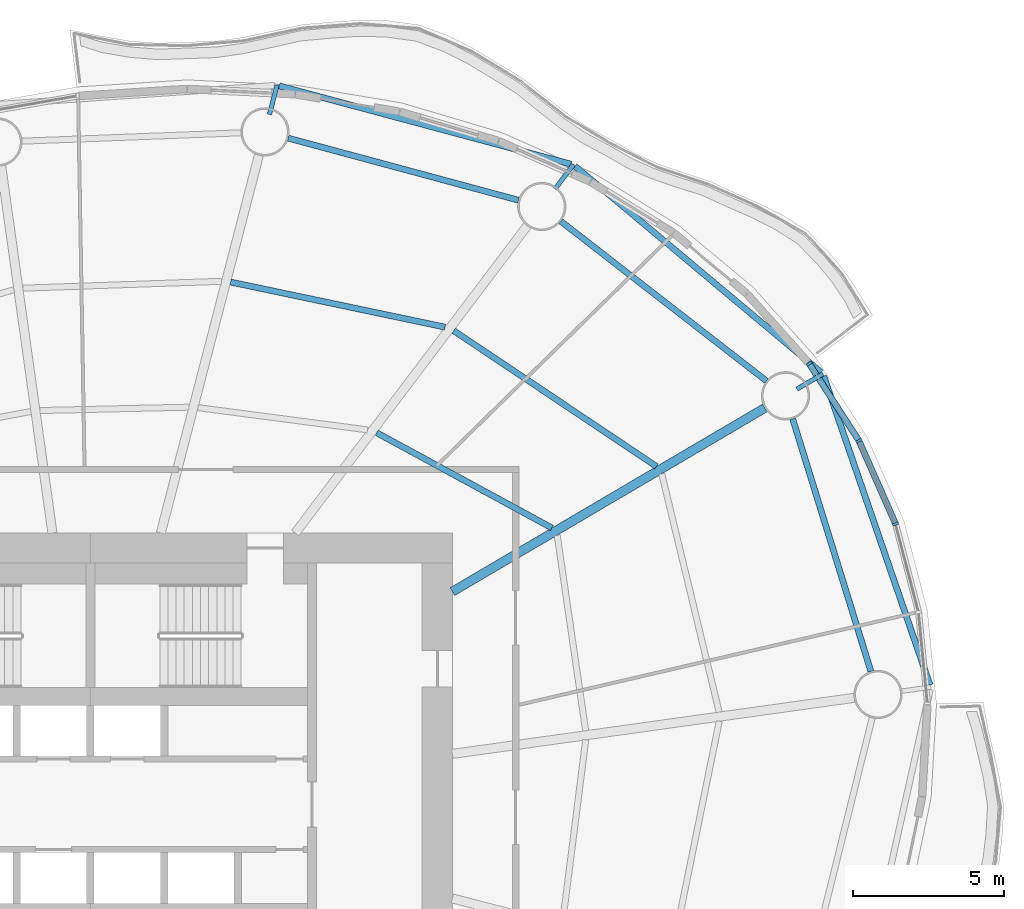
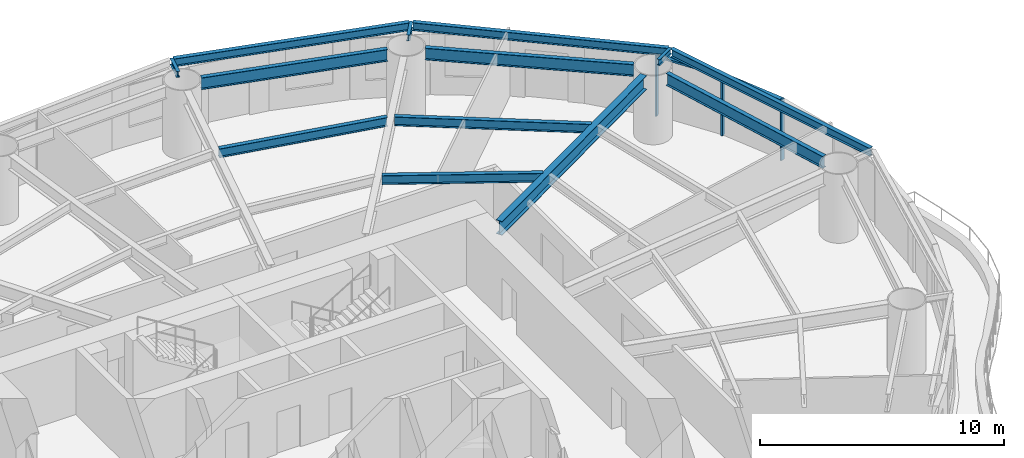
# One storey, part 6 of 16: 13 beams, 5 members, 2 elements without a shape of their own.
"""IFC4 building model written with IfcOpenShell, lengths in metres."""

from ifc_helpers import new_model, si_unit, direction, frame, origin, origin_2d, place, context, subcontext, project, spatial, rectangle, i_section, extrude, material, material_profile, profile_set, type_object, element, aggregate, save


model = new_model("IFC4")

# Units and contexts
model_context = context("Model", 3, precision=1e-05, world=origin(), true_north=direction((0.0, 1.0)))
body_context = subcontext(model_context, "Body", "Model", "MODEL_VIEW")
ifc_project = project(units=[si_unit("LENGTHUNIT", "METRE"), si_unit("AREAUNIT", "SQUARE_METRE"), si_unit("VOLUMEUNIT", "CUBIC_METRE"), si_unit("PLANEANGLEUNIT", "RADIAN"), si_unit("MASSUNIT", "GRAM", prefix="KILO")], contexts=[model_context])

# Site, building, storey
site_placement = place(None, origin())
site = spatial("IfcSite", under=ifc_project, at=site_placement, CompositionType="ELEMENT")
building_placement = place(site_placement, origin())
building = spatial("IfcBuilding", under=site, at=building_placement, Name="Vermilion Reach Broadcast Tower", CompositionType="ELEMENT")
storey_placement = place(building_placement, frame((0.0, 0.0, 110.199951171875)))
storey = spatial("IfcBuildingStorey", under=building, at=storey_placement, Name="L25", CompositionType="ELEMENT", Elevation=110.199951171875)

# Beams
ifc_material_1 = material(Name="Steel S355J2", Category="steel")
ifc_material_profile_1 = material_profile(ifc_material_1, i_section(OverallWidth=0.199951171875, OverallDepth=0.39990234375, WebThickness=0.008056640625, FlangeThickness=0.012939453125, at=origin_2d()), Name="S355J2 HN 400x200x8x13")
ifc_profile_set_1 = profile_set([ifc_material_profile_1], Name="Steel S355J2")
beam_type_1 = type_object("IfcBeamType", Name="EB2 HN 400x200x8x13", PredefinedType="BEAM", material=ifc_profile_set_1)
beam_1_placement = place(storey_placement, frame((18.22021484375, 14.325439453125, 3.25), z_axis=(-0.766614215301, 0.642107969814, 0.0), x_axis=(-0.642107969814, -0.766614215301, 0.0)))
element("IfcBeam", 1, at=beam_1_placement, inside=storey, type_object=beam_type_1, Name="Edge beam EB2-01", PredefinedType="BEAM", context=body_context, shape_type="SweptSolid", body=[
    extrude(i_section(OverallWidth=0.199951171875, OverallDepth=0.39990234375, WebThickness=0.008056640625, FlangeThickness=0.012939453125, at=origin_2d()), origin(), (0.0, 0.0, 1.0), 10.6376953125),
])
beam_2_placement = place(storey_placement, frame((9.929443359375, 21.22509765625, 3.25), z_axis=(-0.965850577486, 0.259099714338, 0.0), x_axis=(-0.259099714338, -0.965850577486, 0.0)))
element("IfcBeam", 2, at=beam_2_placement, inside=storey, type_object=beam_type_1, Name="Edge beam EB2-02", PredefinedType="BEAM", context=body_context, shape_type="SweptSolid", body=[
    extrude(i_section(OverallWidth=0.199951171875, OverallDepth=0.39990234375, WebThickness=0.008056640625, FlangeThickness=0.012939453125, at=origin_2d()), origin(), (0.0, 0.0, 1.0), 10.011474609375),
])
beam_3_placement = place(storey_placement, frame((21.83154296875, 3.96240234375, 3.25), z_axis=(-0.325539042291, 0.945528599221, 0.0), x_axis=(-0.945528599221, -0.325539042291, 0.0)))
element("IfcBeam", 3, at=beam_3_placement, inside=storey, type_object=beam_type_1, Name="Edge beam EB2-16", PredefinedType="BEAM", context=body_context, shape_type="SweptSolid", body=[
    extrude(i_section(OverallWidth=0.199951171875, OverallDepth=0.39990234375, WebThickness=0.008056640625, FlangeThickness=0.012939453125, at=origin_2d()), origin(), (0.0, 0.0, 1.0), 10.829345703125),
])
ifc_material_2 = material(Name="Steel S355J2", Category="steel")
ifc_material_profile_2 = material_profile(ifc_material_2, i_section(OverallWidth=0.300048828125, OverallDepth=0.699951171875, WebThickness=0.012939453125, FlangeThickness=0.02392578125, at=origin_2d()), Name="S355J2 HN 700x300x13x24")
ifc_profile_set_2 = profile_set([ifc_material_profile_2], Name="Steel S355J2")
beam_type_2 = type_object("IfcBeamType", Name="G2 HN 700x300x13x24", PredefinedType="BEAM", material=ifc_profile_set_2)
beam_4_placement = place(storey_placement, frame((6.0, 7.054443359375, 3.10009765625), z_axis=(0.862071616631, 0.506786471603, 0.0), x_axis=(-0.506786471603, 0.862071616631, 0.0)))
element("IfcBeam", 4, at=beam_4_placement, inside=storey, type_object=beam_type_2, Name="Girder G2-01", PredefinedType="BEAM", context=body_context, shape_type="SweptSolid", body=[
    extrude(i_section(OverallWidth=0.300048828125, OverallDepth=0.699951171875, WebThickness=0.012939453125, FlangeThickness=0.02392578125, at=origin_2d()), origin(), (0.0, 0.0, 1.0), 12.01025390625),
])
ifc_material_3 = material(Name="Steel S355J2", Category="steel")
ifc_material_profile_3 = material_profile(ifc_material_3, i_section(OverallWidth=0.14990234375, OverallDepth=0.300048828125, WebThickness=0.006591796875, FlangeThickness=0.009033203125, at=origin_2d()), Name="S355J2 HN 300x150x6.5x9")
ifc_profile_set_3 = profile_set([ifc_material_profile_3], Name="Steel S355J2")
beam_type_3 = type_object("IfcBeamType", Name="GS2 HN 300x150x6.5x9", PredefinedType="BEAM", material=ifc_profile_set_3)
beam_5_placement = place(storey_placement, frame((17.419189453125, 13.767578125, 3.300048828125), z_axis=(0.862153821816, 0.506646610102, 0.0), x_axis=(-0.506646610102, 0.862153821816, 0.0)))
element("IfcBeam", 5, at=beam_5_placement, inside=storey, type_object=beam_type_3, Name="Cantilever stub GS2-01", PredefinedType="BEAM", context=body_context, shape_type="SweptSolid", body=[
    extrude(i_section(OverallWidth=0.14990234375, OverallDepth=0.300048828125, WebThickness=0.006591796875, FlangeThickness=0.009033203125, at=origin_2d()), origin(), (0.0, 0.0, 1.0), 1.0),
])
beam_6_placement = place(storey_placement, frame((9.405029296875, 20.406005859375, 3.300048828125), z_axis=(0.602418642628, 0.798180292299, 0.0), x_axis=(-0.798180292299, 0.602418642628, 0.0)))
element("IfcBeam", 6, at=beam_6_placement, inside=storey, type_object=beam_type_3, Name="Cantilever stub GS2-02", PredefinedType="BEAM", context=body_context, shape_type="SweptSolid", body=[
    extrude(i_section(OverallWidth=0.14990234375, OverallDepth=0.300048828125, WebThickness=0.006591796875, FlangeThickness=0.009033203125, at=origin_2d()), origin(), (0.0, 0.0, 1.0), 1.000244140625),
])
beam_7_placement = place(storey_placement, frame((-0.06396484375, 22.87060546875, 3.300048828125), z_axis=(0.251199368006, 0.967935368459, 0.0), x_axis=(-0.967935368459, 0.251199368006, 0.0)))
element("IfcBeam", 7, at=beam_7_placement, inside=storey, type_object=beam_type_3, Name="Cantilever stub GS2-03", PredefinedType="BEAM", context=body_context, shape_type="SweptSolid", body=[
    extrude(i_section(OverallWidth=0.14990234375, OverallDepth=0.300048828125, WebThickness=0.006591796875, FlangeThickness=0.009033203125, at=origin_2d()), origin(), (0.0, 0.0, 1.0), 1.0),
])
ifc_material_4 = material(Name="Steel S355J2", Category="steel")
ifc_material_profile_4 = material_profile(ifc_material_4, i_section(OverallWidth=0.199951171875, OverallDepth=0.60009765625, WebThickness=0.010986328125, FlangeThickness=0.01708984375, at=origin_2d()), Name="S355J2 HN 600x200x11x17")
ifc_profile_set_4 = profile_set([ifc_material_profile_4], Name="Steel S355J2")
beam_type_4 = type_object("IfcBeamType", Name="RB2 HN 600x200x11x17", PredefinedType="BEAM", material=ifc_profile_set_4)
beam_8_placement = place(storey_placement, frame((16.41162109375, 14.037109375, 3.150146484375), z_axis=(-0.789825712432, 0.613331349257, 0.0), x_axis=(-0.613331349257, -0.789825712432, 0.0)))
element("IfcBeam", 8, at=beam_8_placement, inside=storey, type_object=beam_type_4, Name="Ring beam RB2-01", PredefinedType="BEAM", context=body_context, shape_type="SweptSolid", body=[
    extrude(i_section(OverallWidth=0.199951171875, OverallDepth=0.60009765625, WebThickness=0.010986328125, FlangeThickness=0.01708984375, at=origin_2d()), origin(), (0.0, 0.0, 1.0), 8.63037109375),
])
beam_9_placement = place(storey_placement, frame((8.19091796875, 20.029296875, 3.150146484375), z_axis=(-0.965541463834, 0.260249268234, 0.0), x_axis=(-0.260249268234, -0.965541463834, 0.0)))
element("IfcBeam", 9, at=beam_9_placement, inside=storey, type_object=beam_type_4, Name="Ring beam RB2-02", PredefinedType="BEAM", context=body_context, shape_type="SweptSolid", body=[
    extrude(i_section(OverallWidth=0.199951171875, OverallDepth=0.60009765625, WebThickness=0.010986328125, FlangeThickness=0.01708984375, at=origin_2d()), origin(), (0.0, 0.0, 1.0), 7.904541015625),
])
beam_10_placement = place(storey_placement, frame((19.872314453125, 4.410400390625, 3.150146484375), z_axis=(-0.295788439635, 0.95525347368, 0.0), x_axis=(-0.95525347368, -0.295788439635, 0.0)))
element("IfcBeam", 10, at=beam_10_placement, inside=storey, type_object=beam_type_4, Name="Ring beam RB2-16", PredefinedType="BEAM", context=body_context, shape_type="SweptSolid", body=[
    extrude(i_section(OverallWidth=0.199951171875, OverallDepth=0.60009765625, WebThickness=0.010986328125, FlangeThickness=0.01708984375, at=origin_2d()), origin(), (0.0, 0.0, 1.0), 8.763916015625),
])
ifc_material_5 = material(Name="Steel S355J2", Category="steel")
ifc_material_profile_5 = material_profile(ifc_material_5, i_section(OverallWidth=0.199951171875, OverallDepth=0.449951171875, WebThickness=0.009033203125, FlangeThickness=0.013916015625, at=origin_2d()), Name="S355J2 HN 450x200x9x14")
ifc_profile_set_5 = profile_set([ifc_material_profile_5], Name="Steel S355J2")
beam_type_5 = type_object("IfcBeamType", Name="SB2 HN 450x200x9x14", PredefinedType="BEAM", material=ifc_profile_set_5)
beam_11_placement = place(storey_placement, frame((9.29736328125, 9.1669921875, 3.22509765625), z_axis=(-0.878713106774, 0.477350265512, 0.0), x_axis=(-0.477350265512, -0.878713106774, 0.0)))
element("IfcBeam", 11, at=beam_11_placement, inside=storey, type_object=beam_type_5, Name="Secondary beam SB2-01-1", PredefinedType="BEAM", context=body_context, shape_type="SweptSolid", body=[
    extrude(i_section(OverallWidth=0.199951171875, OverallDepth=0.449951171875, WebThickness=0.009033203125, FlangeThickness=0.013916015625, at=origin_2d()), origin(), (0.0, 0.0, 1.0), 6.60888671875),
])
beam_12_placement = place(storey_placement, frame((12.76416015625, 11.204833984375, 3.22509765625), z_axis=(-0.830915400975, 0.556398774641, 0.0), x_axis=(-0.556398774641, -0.830915400975, 0.0)))
element("IfcBeam", 12, at=beam_12_placement, inside=storey, type_object=beam_type_5, Name="Secondary beam SB2-01-2", PredefinedType="BEAM", context=body_context, shape_type="SweptSolid", body=[
    extrude(i_section(OverallWidth=0.199951171875, OverallDepth=0.449951171875, WebThickness=0.009033203125, FlangeThickness=0.013916015625, at=origin_2d()), origin(), (0.0, 0.0, 1.0), 8.087646484375),
])
beam_13_placement = place(storey_placement, frame((5.7568359375, 15.822509765625, 3.22509765625), z_axis=(-0.978631382549, 0.205622511148, 0.0), x_axis=(-0.205622511148, -0.978631382549, 0.0)))
element("IfcBeam", 13, at=beam_13_placement, inside=storey, type_object=beam_type_5, Name="Secondary beam SB2-02-2", PredefinedType="BEAM", context=body_context, shape_type="SweptSolid", body=[
    extrude(i_section(OverallWidth=0.199951171875, OverallDepth=0.449951171875, WebThickness=0.009033203125, FlangeThickness=0.013916015625, at=origin_2d()), origin(), (0.0, 0.0, 1.0), 7.262939453125),
])

# Curtain wall, member
ifc_material_6 = material(Name="Low-e laminated clear glass in aluminium frame", Category="aluminium")
curtain_wall_type = type_object("IfcCurtainWallType", Name="Slot curtain wall", PredefinedType="NOTDEFINED", material=ifc_material_6)
placement = place(storey_placement, origin())
curtain_wall_1 = element("IfcCurtainWall", 14, at=placement, inside=storey, type_object=curtain_wall_type, Name="Slot curtain wall L25 00", PredefinedType="NOTDEFINED")
ifc_material_7 = material(Name="Anodised aluminium", Category="aluminium")
ifc_material_profile_6 = material_profile(ifc_material_7, rectangle(XDim=0.199951171875, YDim=0.080078125, at=origin_2d()), Name="Slot mullion 80 x 200")
ifc_profile_set_6 = profile_set([ifc_material_profile_6], Name="Anodised aluminium")
member_type_1 = type_object("IfcMemberType", Name="Slot mullion 80 x 200", PredefinedType="MULLION", material=ifc_profile_set_6)
member_1_placement = place(storey_placement, frame((20.69189453125, 9.295166015625, 0.0), z_axis=(0.0, 0.0, 1.0), x_axis=(-0.944376385327, -0.328866603406, 0.0)))
member_1 = element("IfcMember", 15, at=member_1_placement, type_object=member_type_1, Name="Slot mullion L25 00", PredefinedType="MULLION", context=body_context, shape_type="SweptSolid", body=[
    extrude(rectangle(XDim=0.199951171875, YDim=0.080078125, at=origin_2d()), origin(), (0.0, 0.0, 1.0), 3.050048828125),
])

# Curtain wall, members
curtain_wall_2 = element("IfcCurtainWall", 16, at=placement, inside=storey, type_object=curtain_wall_type, Name="Slot curtain wall L25 01", PredefinedType="NOTDEFINED")
member_2_placement = place(storey_placement, frame((19.475830078125, 12.056396484375, 0.0), z_axis=(0.0, 0.0, 1.0), x_axis=(-0.880403923445, -0.474224558181, 0.0)))
member_2 = element("IfcMember", 17, at=member_2_placement, type_object=member_type_1, Name="Slot mullion L25 01", PredefinedType="MULLION", context=body_context, shape_type="SweptSolid", body=[
    extrude(rectangle(XDim=0.199951171875, YDim=0.080078125, at=origin_2d()), origin(), (0.0, 0.0, 1.0), 3.050048828125),
])
member_3_placement = place(storey_placement, frame((17.8251953125, 14.613037109375, 0.0), z_axis=(0.0, 0.0, 1.0), x_axis=(-0.795754325682, -0.605619561407, 0.0)))
member_3 = element("IfcMember", 18, at=member_3_placement, type_object=member_type_1, Name="Slot mullion L25 02", PredefinedType="MULLION", context=body_context, shape_type="SweptSolid", body=[
    extrude(rectangle(XDim=0.199951171875, YDim=0.080078125, at=origin_2d()), origin(), (0.0, 0.0, 1.0), 3.050048828125),
])

# Member
ifc_material_8 = material(Name="Anodised aluminium", Category="aluminium")
ifc_material_profile_7 = material_profile(ifc_material_8, rectangle(XDim=0.199951171875, YDim=0.10009765625, at=origin_2d()), Name="Slot transom 200 x 100")
ifc_profile_set_7 = profile_set([ifc_material_profile_7], Name="Anodised aluminium")
member_type_2 = type_object("IfcMemberType", Name="Slot transom 200 x 100", PredefinedType="USERDEFINED", material=ifc_profile_set_7)
member_4_placement = place(storey_placement, frame((20.67578125, 9.331787109375, 3.0), z_axis=(-0.403058932711, 0.915174025397, 0.0), x_axis=(-0.915174025397, -0.403058932711, 0.0)))
member_4 = element("IfcMember", 19, at=member_4_placement, type_object=member_type_2, Name="Slot transom L25 00.1", ObjectType="TRANSOM", PredefinedType="USERDEFINED", context=body_context, shape_type="SweptSolid", body=[
    extrude(rectangle(XDim=0.199951171875, YDim=0.10009765625, at=origin_2d()), origin(), (0.0, 0.0, 1.0), 2.93701171875),
])

aggregate(curtain_wall_1, [member_1, member_4])

member_5_placement = place(storey_placement, frame((19.4541015625, 12.08984375, 3.0), z_axis=(-0.542376438774, 0.8401355835, 0.0), x_axis=(-0.8401355835, -0.542376438774, 0.0)))
member_5 = element("IfcMember", 20, at=member_5_placement, type_object=member_type_2, Name="Slot transom L25 01.1", ObjectType="TRANSOM", PredefinedType="USERDEFINED", context=body_context, shape_type="SweptSolid", body=[
    extrude(rectangle(XDim=0.199951171875, YDim=0.10009765625, at=origin_2d()), origin(), (0.0, 0.0, 1.0), 2.963134765625),
])

aggregate(curtain_wall_2, [member_2, member_3, member_5])

save(model, "model.ifc")
